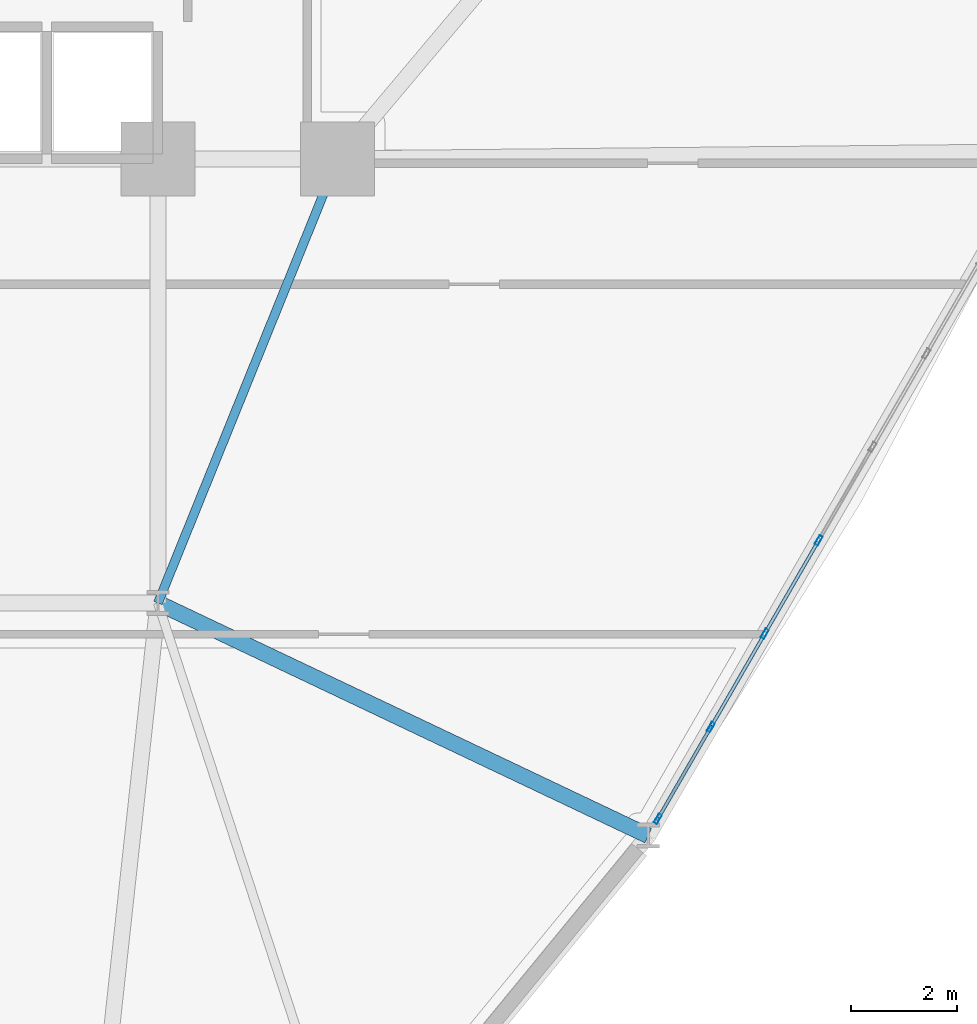
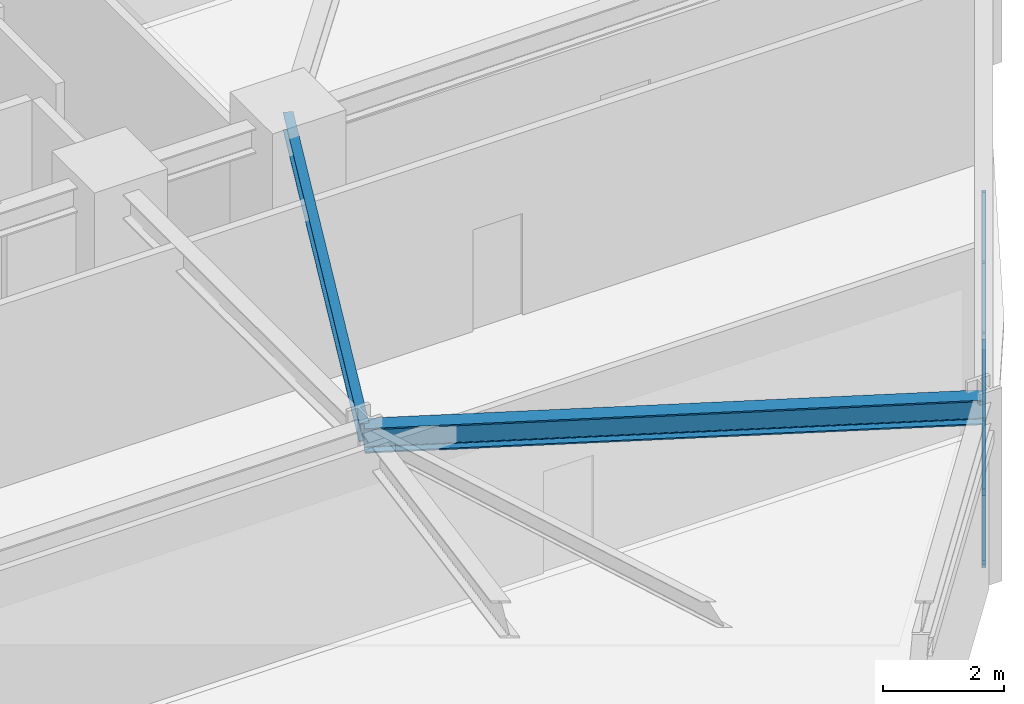
# One storey, part 6 of 20: 11 members, 2 beams, 1 element without a shape of its own.
"""IFC4 building model written with IfcOpenShell, lengths in metres."""

from ifc_helpers import new_model, si_unit, derived_unit, direction, frame, origin, origin_2d, place, context, subcontext, project, spatial, hollow_rectangle, i_section, extrude, source, transform, mapped, material, layer, layer_set, material_profile, profile_set, type_object, element, aggregate, save


model = new_model("IFC4")

# Units and contexts
model_context = context("Model", 3, precision=1e-05, world=origin(), true_north=direction((0.0, 1.0)))
body_context = subcontext(model_context, "Body", "Model", "MODEL_VIEW")
ifc_project = project(units=[si_unit("LENGTHUNIT", "METRE"), si_unit("AREAUNIT", "SQUARE_METRE"), si_unit("VOLUMEUNIT", "CUBIC_METRE"), si_unit("PLANEANGLEUNIT", "RADIAN"), si_unit("MASSUNIT", "GRAM", prefix="KILO"), derived_unit("THERMALTRANSMITTANCEUNIT", [(si_unit("POWERUNIT", "WATT"), 1), (si_unit("LENGTHUNIT", "METRE"), -2), (si_unit("THERMODYNAMICTEMPERATUREUNIT", "KELVIN"), -1)])], contexts=[model_context])

# Site, building, storey
site_placement = place(None, origin())
site = spatial("IfcSite", under=ifc_project, at=site_placement, CompositionType="ELEMENT")
building_placement = place(site_placement, origin())
building = spatial("IfcBuilding", under=site, at=building_placement, Name="Korsvarv Bourse and Concert Hall", CompositionType="ELEMENT")
storey_placement = place(building_placement, frame((0.0, 0.0, 79.5)))
storey = spatial("IfcBuildingStorey", under=building, at=storey_placement, Name="L19", CompositionType="ELEMENT", Elevation=79.5)

# Beams
ifc_material_1 = material(Name="Steel S355", Category="steel")
ifc_material_profile_1 = material_profile(ifc_material_1, i_section(OverallWidth=0.169921875, OverallDepth=0.360107421875, WebThickness=0.008056640625, FlangeThickness=0.0126953125, FilletRadius=0.01806640625, at=origin_2d()), Name="IPE 360")
ifc_profile_set_1 = profile_set([ifc_material_profile_1], Name="Steel S355")
beam_type_1 = type_object("IfcBeamType", Name="BM-IPE360", PredefinedType="JOIST", material=ifc_profile_set_1)
shared_shape_1 = source(origin(), body_context, "Body", "SweptSolid", [
    extrude(i_section(OverallWidth=0.169921875, OverallDepth=0.360107421875, WebThickness=0.008056640625, FlangeThickness=0.0126953125, FilletRadius=0.01806640625, at=origin_2d()), origin(), (0.0, 0.0, 1.0), 9.06201171875),
])
beam_1_placement = place(storey_placement, frame((47.800048828125, 32.39990234375, 3.5), z_axis=(-0.375210394783, -0.926939674222, 0.0), x_axis=(0.926939674222, -0.375210394783, 0.0)))
element("IfcBeam", 1, at=beam_1_placement, inside=storey, type_object=beam_type_1, Name="L19 beam J-06", PredefinedType="JOIST", context=body_context, shape_type="MappedRepresentation", body=[
    mapped(shared_shape_1, transform((0.0, 0.0, 0.0), scale=1.0)),
])
ifc_material_profile_2 = material_profile(ifc_material_1, i_section(OverallWidth=0.300048828125, OverallDepth=0.5, WebThickness=0.014404296875, FlangeThickness=0.028076171875, FilletRadius=0.02392578125, at=origin_2d()), Name="HEB 500")
ifc_profile_set_2 = profile_set([ifc_material_profile_2], Name="Steel S355")
beam_type_2 = type_object("IfcBeamType", Name="BM-HEB500", PredefinedType="BEAM", material=ifc_profile_set_2)
shared_shape_2 = source(origin(), body_context, "Body", "SweptSolid", [
    extrude(i_section(OverallWidth=0.300048828125, OverallDepth=0.5, WebThickness=0.014404296875, FlangeThickness=0.028076171875, FilletRadius=0.02392578125, at=origin_2d()), origin(), (0.0, 0.0, 1.0), 10.263671875),
])
beam_2_placement = place(storey_placement, frame((53.671630859375, 19.59814453125, 3.429931640625), z_axis=(-0.903361148247, 0.428880677855, 0.0), x_axis=(-0.428880677855, -0.903361148247, 0.0)))
element("IfcBeam", 2, at=beam_2_placement, inside=storey, type_object=beam_type_2, Name="L19 beam B-07", PredefinedType="BEAM", context=body_context, shape_type="MappedRepresentation", body=[
    mapped(shared_shape_2, transform((0.0, 0.0, 0.0), scale=1.0)),
])

# Curtain wall, members
ifc_material_2 = material(Name="Anodised aluminium and triple low-E glazing", Category="glass")
ifc_layer = layer(ifc_material_2, 0.219970703125)
ifc_layer_set = layer_set([ifc_layer], Name="Anodised aluminium and triple low-E glazing")
curtain_wall_type = type_object("IfcCurtainWallType", Name="CW-SYS-1", PredefinedType="NOTDEFINED", material=ifc_layer_set)
curtain_wall_placement = place(storey_placement, origin())
curtain_wall = element("IfcCurtainWall", 3, at=curtain_wall_placement, inside=storey, type_object=curtain_wall_type, Name="L19 CW1 curtain wall CW-L19-F11", PredefinedType="NOTDEFINED")
ifc_material_3 = material(Name="Extruded aluminium EN AW-6063 T66", Category="aluminium")
ifc_material_profile_3 = material_profile(ifc_material_3, hollow_rectangle(XDim=0.070068359375, YDim=0.18994140625, WallThickness=0.0048828125, at=origin_2d()), Name="ALU-M 70x190")
ifc_profile_set_3 = profile_set([ifc_material_profile_3], Name="Extruded aluminium EN AW-6063 T66")
member_type_1 = type_object("IfcMemberType", Name="CWM-190", PredefinedType="MULLION", material=ifc_profile_set_3)
shared_shape_3 = source(origin(), body_context, "Body", "SweptSolid", [
    extrude(hollow_rectangle(XDim=0.070068359375, YDim=0.18994140625, WallThickness=0.0048828125, at=origin_2d()), origin(), (0.0, 0.0, 1.0), 3.22998046875),
])
member_1_placement = place(storey_placement, frame((53.854736328125, 19.91552734375, 0.0), z_axis=(0.0, 0.0, 1.0), x_axis=(-0.866024243871, 0.500002009023, 0.0)))
member_1 = element("IfcMember", 4, at=member_1_placement, type_object=member_type_1, Name="CW1 mullion 1", PredefinedType="MULLION", context=body_context, shape_type="MappedRepresentation", body=[
    mapped(shared_shape_3, transform((0.0, 0.0, 0.0), scale=1.0)),
])
member_2_placement = place(storey_placement, frame((54.85693359375, 21.651123046875, 0.0), z_axis=(0.0, 0.0, 1.0), x_axis=(-0.866024243871, 0.500002009023, 0.0)))
member_2 = element("IfcMember", 5, at=member_2_placement, type_object=member_type_1, Name="CW1 mullion 2", PredefinedType="MULLION", context=body_context, shape_type="MappedRepresentation", body=[
    mapped(shared_shape_3, transform((0.0, 0.0, 0.0), scale=1.0)),
])
member_3_placement = place(storey_placement, frame((55.87646484375, 23.417236328125, 0.0), z_axis=(0.0, 0.0, 1.0), x_axis=(-0.866024243871, 0.500002009023, 0.0)))
member_3 = element("IfcMember", 6, at=member_3_placement, type_object=member_type_1, Name="CW1 mullion 3", PredefinedType="MULLION", context=body_context, shape_type="MappedRepresentation", body=[
    mapped(shared_shape_3, transform((0.0, 0.0, 0.0), scale=1.0)),
])
member_4_placement = place(storey_placement, frame((56.896240234375, 25.18310546875, 0.0), z_axis=(0.0, 0.0, 1.0), x_axis=(-0.866024243871, 0.500002009023, 0.0)))
member_4 = element("IfcMember", 7, at=member_4_placement, type_object=member_type_1, Name="CW1 mullion 4", PredefinedType="MULLION", context=body_context, shape_type="MappedRepresentation", body=[
    mapped(shared_shape_3, transform((0.0, 0.0, 0.0), scale=1.0)),
])
ifc_material_profile_4 = material_profile(ifc_material_3, hollow_rectangle(XDim=0.06494140625, YDim=0.139892578125, WallThickness=0.00390625, at=origin_2d()), Name="ALU-T 65x140")
ifc_profile_set_4 = profile_set([ifc_material_profile_4], Name="Extruded aluminium EN AW-6063 T66")
member_type_2 = type_object("IfcMemberType", Name="CWT-140", PredefinedType="USERDEFINED", material=ifc_profile_set_4)
shared_shape_4 = source(origin(), body_context, "Body", "SweptSolid", [
    extrude(hollow_rectangle(XDim=0.06494140625, YDim=0.139892578125, WallThickness=0.00390625, at=origin_2d()), origin(), (0.0, 0.0, 1.0), 1.93408203125),
])
member_5_placement = place(storey_placement, frame((53.872314453125, 19.94580078125, 0.032470703125), z_axis=(0.499981047344, 0.866036345829, 0.0), x_axis=(-0.866036345829, 0.499981047344, 0.0)))
member_5 = element("IfcMember", 8, at=member_5_placement, type_object=member_type_2, Name="CW1 transom 1.1", ObjectType="TRANSOM", PredefinedType="USERDEFINED", context=body_context, shape_type="MappedRepresentation", body=[
    mapped(shared_shape_4, transform((0.0, 0.0, 0.0), scale=1.0)),
])
member_6_placement = place(storey_placement, frame((53.872314453125, 19.94580078125, 3.197509765625), z_axis=(0.499981047344, 0.866036345829, 0.0), x_axis=(-0.866036345829, 0.499981047344, 0.0)))
member_6 = element("IfcMember", 9, at=member_6_placement, type_object=member_type_2, Name="CW1 transom 1.2", ObjectType="TRANSOM", PredefinedType="USERDEFINED", context=body_context, shape_type="MappedRepresentation", body=[
    mapped(shared_shape_4, transform((0.0, 0.0, 0.0), scale=1.0)),
])
shared_shape_5 = source(origin(), body_context, "Body", "SweptSolid", [
    extrude(hollow_rectangle(XDim=0.06494140625, YDim=0.139892578125, WallThickness=0.00390625, at=origin_2d()), origin(), (0.0, 0.0, 1.0), 1.96923828125),
])
member_7_placement = place(storey_placement, frame((54.87451171875, 21.681396484375, 0.032470703125), z_axis=(0.500019375444, 0.866014217078, 0.0), x_axis=(-0.866014217078, 0.500019375444, 0.0)))
member_7 = element("IfcMember", 10, at=member_7_placement, type_object=member_type_2, Name="CW1 transom 2.1", ObjectType="TRANSOM", PredefinedType="USERDEFINED", context=body_context, shape_type="MappedRepresentation", body=[
    mapped(shared_shape_5, transform((0.0, 0.0, 0.0), scale=1.0)),
])
member_8_placement = place(storey_placement, frame((54.87451171875, 21.681396484375, 3.197509765625), z_axis=(0.500019375444, 0.866014217078, 0.0), x_axis=(-0.866014217078, 0.500019375444, 0.0)))
member_8 = element("IfcMember", 11, at=member_8_placement, type_object=member_type_2, Name="CW1 transom 2.2", ObjectType="TRANSOM", PredefinedType="USERDEFINED", context=body_context, shape_type="MappedRepresentation", body=[
    mapped(shared_shape_5, transform((0.0, 0.0, 0.0), scale=1.0)),
])
member_9_placement = place(storey_placement, frame((55.89404296875, 23.447509765625, 0.032470703125), z_axis=(0.500019375444, 0.866014217078, 0.0), x_axis=(-0.866014217078, 0.500019375444, 0.0)))
member_9 = element("IfcMember", 12, at=member_9_placement, type_object=member_type_2, Name="CW1 transom 3.1", ObjectType="TRANSOM", PredefinedType="USERDEFINED", context=body_context, shape_type="MappedRepresentation", body=[
    mapped(shared_shape_5, transform((0.0, 0.0, 0.0), scale=1.0)),
])
member_10_placement = place(storey_placement, frame((55.89404296875, 23.447509765625, 3.197509765625), z_axis=(0.500019375444, 0.866014217078, 0.0), x_axis=(-0.866014217078, 0.500019375444, 0.0)))
member_10 = element("IfcMember", 13, at=member_10_placement, type_object=member_type_2, Name="CW1 transom 3.2", ObjectType="TRANSOM", PredefinedType="USERDEFINED", context=body_context, shape_type="MappedRepresentation", body=[
    mapped(shared_shape_5, transform((0.0, 0.0, 0.0), scale=1.0)),
])
ifc_material_profile_5 = material_profile(ifc_material_3, hollow_rectangle(XDim=0.06494140625, YDim=0.1650390625, WallThickness=0.0048828125, at=origin_2d()), Name="ALU-M 65x165")
ifc_profile_set_5 = profile_set([ifc_material_profile_5], Name="Extruded aluminium EN AW-6063 T66")
member_type_3 = type_object("IfcMemberType", Name="CWM-165", PredefinedType="MULLION", material=ifc_profile_set_5)
shared_shape_6 = source(origin(), body_context, "Body", "SweptSolid", [
    extrude(hollow_rectangle(XDim=0.06494140625, YDim=0.1650390625, WallThickness=0.0048828125, at=origin_2d()), origin(), (0.0, 0.0, 1.0), 3.654052734375),
])
member_11_placement = place(storey_placement, frame((53.872314453125, 19.94580078125, 0.06494140625), z_axis=(0.26465423614, 0.458417751618, 0.84841693777), x_axis=(-0.866036345829, 0.499981047344, 0.0)))
member_11 = element("IfcMember", 14, at=member_11_placement, type_object=member_type_3, Name="CW1 diagonal mullion 1", PredefinedType="MULLION", context=body_context, shape_type="MappedRepresentation", body=[
    mapped(shared_shape_6, transform((0.0, 0.0, 0.0), scale=1.0)),
])
aggregate(curtain_wall, [member_1, member_2, member_3, member_4, member_5, member_6, member_11, member_7, member_8, member_9, member_10])

save(model, "model.ifc")
